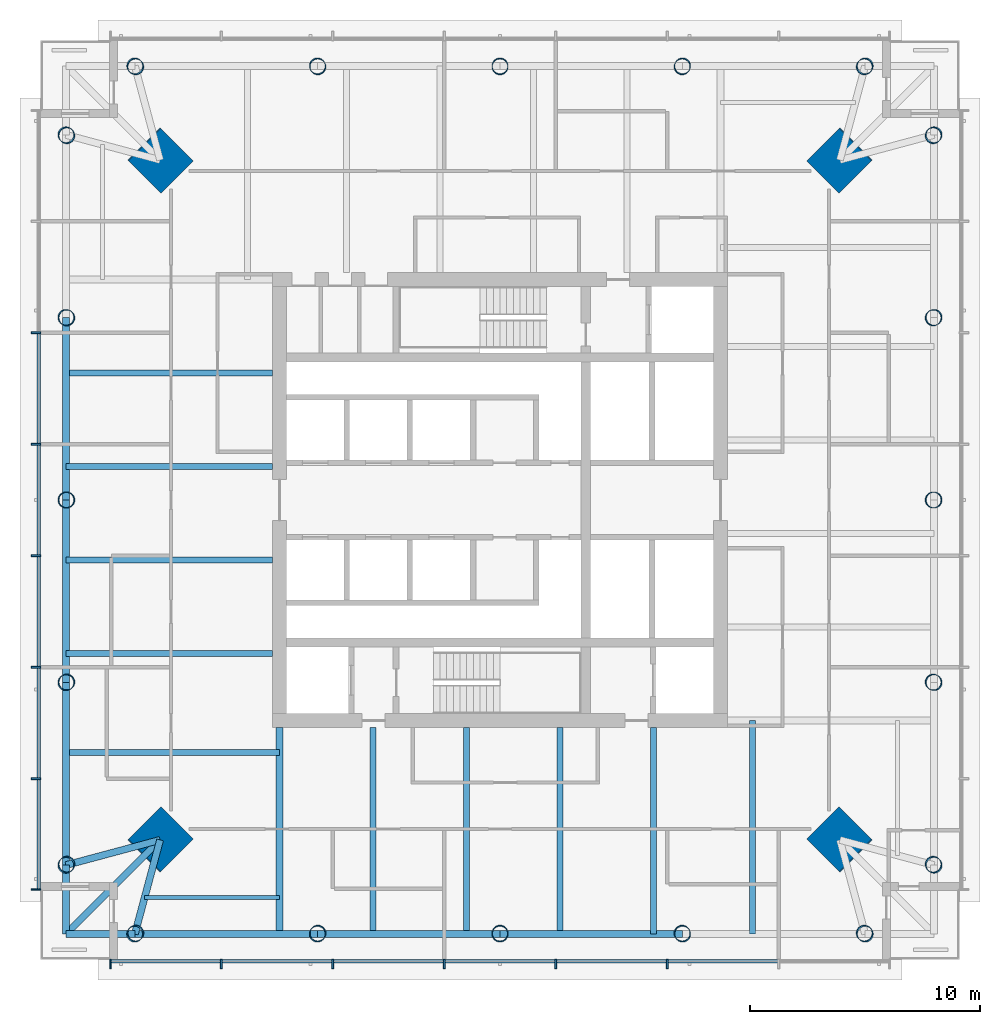
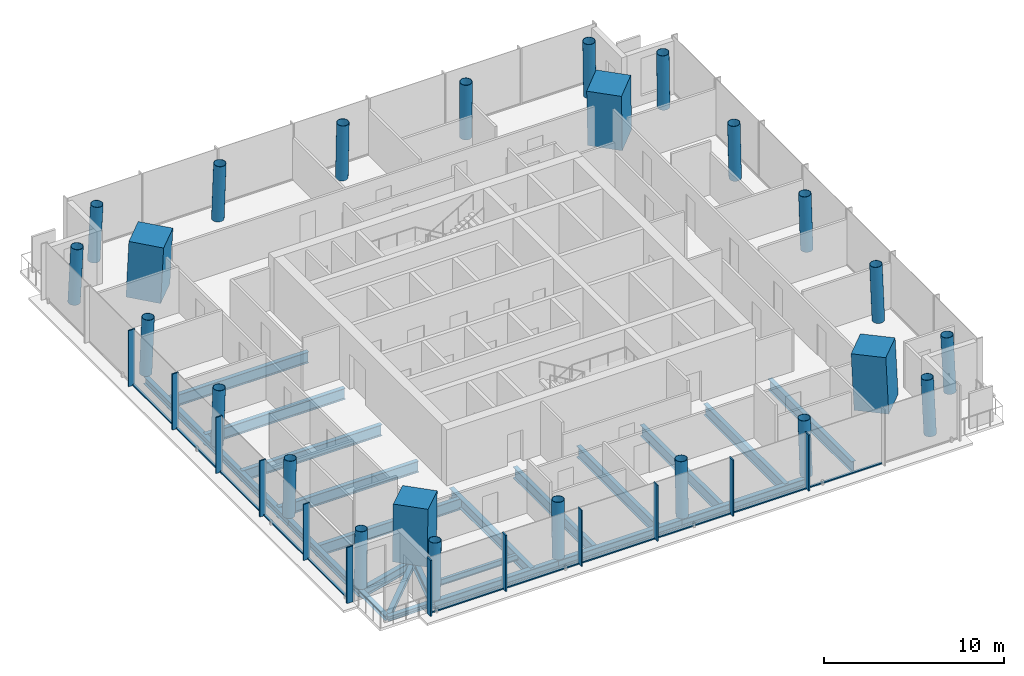
# One storey, part 1 of 10: 24 columns, 23 beams, 23 members, 2 elements without a shape of their own.
"""IFC4 building model written with IfcOpenShell, lengths in metres."""

from ifc_helpers import new_model, si_unit, direction, frame, origin, origin_2d, place, context, subcontext, project, spatial, rectangle, hollow_circle, i_section, extrude, material, material_profile, profile_set, type_object, element, aggregate, save


model = new_model("IFC4")

# Units and contexts
model_context = context("Model", 3, precision=1e-05, world=origin(), true_north=direction((0.0, 1.0)))
body_context = subcontext(model_context, "Body", "Model", "MODEL_VIEW")
ifc_project = project(units=[si_unit("LENGTHUNIT", "METRE"), si_unit("AREAUNIT", "SQUARE_METRE"), si_unit("VOLUMEUNIT", "CUBIC_METRE"), si_unit("PLANEANGLEUNIT", "RADIAN"), si_unit("MASSUNIT", "GRAM", prefix="KILO")], contexts=[model_context])

# Site, building, storey
site_placement = place(None, origin())
site = spatial("IfcSite", under=ifc_project, at=site_placement, CompositionType="ELEMENT")
building_placement = place(site_placement, origin())
building = spatial("IfcBuilding", under=site, at=building_placement, Name="Ostroluk Exchange", CompositionType="ELEMENT")
storey_placement = place(building_placement, frame((0.0, 0.0, 180.60009765625)))
storey = spatial("IfcBuildingStorey", under=building, at=storey_placement, Name="L46", CompositionType="ELEMENT", Elevation=180.60009765625)

# Columns
ifc_material_1 = material(Name="Concrete C50/60", Category="concrete")
ifc_material_profile_1 = material_profile(ifc_material_1, rectangle(XDim=2.0, YDim=2.0, at=origin_2d()), Name="RC 2000x2000")
ifc_profile_set_1 = profile_set([ifc_material_profile_1], Name="Concrete C50/60")
column_type_1 = type_object("IfcColumnType", Name="Mega column RC 2000x2000", PredefinedType="COLUMN", material=ifc_profile_set_1)
for number, where, z_axis, x_axis, name in (
    (1, (59.800048828125, 60.800048828125, 0.0), (-0.031964207655, -0.031964207655, 0.998977766949), (0.707106781187, -0.707106781187, 0.0), "T1 mega column NE"),
    (2, (30.199951171875, 60.800048828125, 0.0), (0.031964207655, -0.031964207655, 0.998977766949), (0.707106781187, 0.707106781187, 0.0), "T1 mega column NW"),
    (3, (30.199951171875, 31.199951171875, 0.0), (0.031964207655, 0.031964207655, 0.998977766949), (-0.707106781187, 0.707106781187, 0.0), "T1 mega column SW"),
    (4, (59.800048828125, 31.199951171875, 0.0), (-0.031964207655, 0.031964207655, 0.998977766949), (-0.707106781187, -0.707106781187, 0.0), "T1 mega column SE"),
):
    element("IfcColumn", number, at=place(storey_placement, frame(where, z_axis=z_axis, x_axis=x_axis)), inside=storey, type_object=column_type_1, Name=name, PredefinedType="COLUMN", context=body_context, shape_type="SweptSolid", body=[
        extrude(rectangle(XDim=2.0, YDim=2.0, at=origin_2d()), origin(), (0.0, 0.0, 1.0), 3.8037109375),
    ])
ifc_material_2 = material(Name="Steel S460", Category="steel")
ifc_material_profile_2 = material_profile(ifc_material_2, hollow_circle(Radius=0.35546875, WallThickness=0.02490234375, at=origin_2d()), Name="CHS 711x25")
ifc_profile_set_2 = profile_set([ifc_material_profile_2], Name="Steel S460")
column_type_2 = type_object("IfcColumnType", Name="Perimeter column CHS 711x25", PredefinedType="COLUMN", material=ifc_profile_set_2)
for number, where, z_axis, x_axis, name in (
    (5, (63.89990234375, 30.10009765625, 0.0), (-0.031900153262, 0.031900153262, 0.998981861919), (-0.707106781187, -0.707106781187, 0.0), "T1 east face column E0"),
    (6, (63.89990234375, 61.89990234375, 0.0), (-0.031900153262, -0.031900153262, 0.998981861919), (0.707106781187, -0.707106781187, 0.0), "T1 east face column E1"),
):
    element("IfcColumn", number, at=place(storey_placement, frame(where, z_axis=z_axis, x_axis=x_axis)), inside=storey, type_object=column_type_2, Name=name, PredefinedType="COLUMN", context=body_context, shape_type="SweptSolid", body=[
        extrude(hollow_circle(Radius=0.35546875, WallThickness=0.02490234375, at=origin_2d()), origin(), (0.0, 0.0, 1.0), 3.8037109375),
    ])
column_1_placement = place(storey_placement, frame((63.89990234375, 38.050048828125, 0.0), z_axis=(-0.031912349901, 0.015924069971, 0.999363810591), x_axis=(-0.446493300058, -0.894786976326, 0.0)))
element("IfcColumn", 7, at=column_1_placement, inside=storey, type_object=column_type_2, Name="T1 east face column I1", PredefinedType="COLUMN", context=body_context, shape_type="SweptSolid", body=[
    extrude(hollow_circle(Radius=0.35546875, WallThickness=0.02490234375, at=origin_2d()), origin(), (0.0, 0.0, 1.0), 3.80224609375),
])
column_2_placement = place(storey_placement, frame((63.89990234375, 46.0, 0.0), z_axis=(-0.031916396774, 0.0, 0.999490542035), x_axis=(0.0, -1.0, 0.0)))
element("IfcColumn", 8, at=column_2_placement, inside=storey, type_object=column_type_2, Name="T1 east face column I2", PredefinedType="COLUMN", context=body_context, shape_type="SweptSolid", body=[
    extrude(hollow_circle(Radius=0.35546875, WallThickness=0.02490234375, at=origin_2d()), origin(), (0.0, 0.0, 1.0), 3.8017578125),
])
column_3_placement = place(storey_placement, frame((63.89990234375, 53.949951171875, 0.0), z_axis=(-0.031912349901, -0.015924069971, 0.999363810591), x_axis=(0.446493300058, -0.894786976326, 0.0)))
element("IfcColumn", 9, at=column_3_placement, inside=storey, type_object=column_type_2, Name="T1 east face column I3", PredefinedType="COLUMN", context=body_context, shape_type="SweptSolid", body=[
    extrude(hollow_circle(Radius=0.35546875, WallThickness=0.02490234375, at=origin_2d()), origin(), (0.0, 0.0, 1.0), 3.80224609375),
])
for number, where, z_axis, x_axis, name in (
    (10, (60.89990234375, 64.89990234375, 0.0), (-0.031900153262, -0.031900153262, 0.998981861919), (0.707106781187, -0.707106781187, 0.0), "T1 north face column E0"),
    (11, (29.10009765625, 64.89990234375, 0.0), (0.031900153262, -0.031900153262, 0.998981861919), (0.707106781187, 0.707106781187, 0.0), "T1 north face column E1"),
):
    element("IfcColumn", number, at=place(storey_placement, frame(where, z_axis=z_axis, x_axis=x_axis)), inside=storey, type_object=column_type_2, Name=name, PredefinedType="COLUMN", context=body_context, shape_type="SweptSolid", body=[
        extrude(hollow_circle(Radius=0.35546875, WallThickness=0.02490234375, at=origin_2d()), origin(), (0.0, 0.0, 1.0), 3.8037109375),
    ])
column_4_placement = place(storey_placement, frame((52.949951171875, 64.89990234375, 0.0), z_axis=(-0.015924069971, -0.031912349901, 0.999363810591), x_axis=(0.894786976326, -0.446493300058, 0.0)))
element("IfcColumn", 12, at=column_4_placement, inside=storey, type_object=column_type_2, Name="T1 north face column I1", PredefinedType="COLUMN", context=body_context, shape_type="SweptSolid", body=[
    extrude(hollow_circle(Radius=0.35546875, WallThickness=0.02490234375, at=origin_2d()), origin(), (0.0, 0.0, 1.0), 3.80224609375),
])
column_5_placement = place(storey_placement, frame((45.0, 64.89990234375, 0.0), z_axis=(0.0, -0.031916396774, 0.999490542035), x_axis=(1.0, 0.0, 0.0)))
element("IfcColumn", 13, at=column_5_placement, inside=storey, type_object=column_type_2, Name="T1 north face column I2", PredefinedType="COLUMN", context=body_context, shape_type="SweptSolid", body=[
    extrude(hollow_circle(Radius=0.35546875, WallThickness=0.02490234375, at=origin_2d()), origin(), (0.0, 0.0, 1.0), 3.8017578125),
])
column_6_placement = place(storey_placement, frame((37.050048828125, 64.89990234375, 0.0), z_axis=(0.015924069971, -0.031912349901, 0.999363810591), x_axis=(0.894786976326, 0.446493300058, 0.0)))
element("IfcColumn", 14, at=column_6_placement, inside=storey, type_object=column_type_2, Name="T1 north face column I3", PredefinedType="COLUMN", context=body_context, shape_type="SweptSolid", body=[
    extrude(hollow_circle(Radius=0.35546875, WallThickness=0.02490234375, at=origin_2d()), origin(), (0.0, 0.0, 1.0), 3.80224609375),
])
for number, where, z_axis, x_axis, name in (
    (15, (26.10009765625, 61.89990234375, 0.0), (0.031900153262, -0.031900153262, 0.998981861919), (0.707106781187, 0.707106781187, 0.0), "T1 west face column E0"),
    (16, (26.10009765625, 30.10009765625, 0.0), (0.031900153262, 0.031900153262, 0.998981861919), (-0.707106781187, 0.707106781187, 0.0), "T1 west face column E1"),
):
    element("IfcColumn", number, at=place(storey_placement, frame(where, z_axis=z_axis, x_axis=x_axis)), inside=storey, type_object=column_type_2, Name=name, PredefinedType="COLUMN", context=body_context, shape_type="SweptSolid", body=[
        extrude(hollow_circle(Radius=0.35546875, WallThickness=0.02490234375, at=origin_2d()), origin(), (0.0, 0.0, 1.0), 3.8037109375),
    ])
column_7_placement = place(storey_placement, frame((26.10009765625, 53.949951171875, 0.0), z_axis=(0.031912349901, -0.015924069971, 0.999363810591), x_axis=(0.446493300058, 0.894786976326, 0.0)))
element("IfcColumn", 17, at=column_7_placement, inside=storey, type_object=column_type_2, Name="T1 west face column I1", PredefinedType="COLUMN", context=body_context, shape_type="SweptSolid", body=[
    extrude(hollow_circle(Radius=0.35546875, WallThickness=0.02490234375, at=origin_2d()), origin(), (0.0, 0.0, 1.0), 3.80224609375),
])
column_8_placement = place(storey_placement, frame((26.10009765625, 46.0, 0.0), z_axis=(0.031916396774, 0.0, 0.999490542035), x_axis=(0.0, 1.0, 0.0)))
element("IfcColumn", 18, at=column_8_placement, inside=storey, type_object=column_type_2, Name="T1 west face column I2", PredefinedType="COLUMN", context=body_context, shape_type="SweptSolid", body=[
    extrude(hollow_circle(Radius=0.35546875, WallThickness=0.02490234375, at=origin_2d()), origin(), (0.0, 0.0, 1.0), 3.8017578125),
])
column_9_placement = place(storey_placement, frame((26.10009765625, 38.050048828125, 0.0), z_axis=(0.031912349901, 0.015924069971, 0.999363810591), x_axis=(-0.446493300058, 0.894786976326, 0.0)))
element("IfcColumn", 19, at=column_9_placement, inside=storey, type_object=column_type_2, Name="T1 west face column I3", PredefinedType="COLUMN", context=body_context, shape_type="SweptSolid", body=[
    extrude(hollow_circle(Radius=0.35546875, WallThickness=0.02490234375, at=origin_2d()), origin(), (0.0, 0.0, 1.0), 3.80224609375),
])
for number, where, z_axis, x_axis, name in (
    (20, (29.10009765625, 27.10009765625, 0.0), (0.031900153262, 0.031900153262, 0.998981861919), (-0.707106781187, 0.707106781187, 0.0), "T1 south face column E0"),
    (21, (60.89990234375, 27.10009765625, 0.0), (-0.031900153262, 0.031900153262, 0.998981861919), (-0.707106781187, -0.707106781187, 0.0), "T1 south face column E1"),
):
    element("IfcColumn", number, at=place(storey_placement, frame(where, z_axis=z_axis, x_axis=x_axis)), inside=storey, type_object=column_type_2, Name=name, PredefinedType="COLUMN", context=body_context, shape_type="SweptSolid", body=[
        extrude(hollow_circle(Radius=0.35546875, WallThickness=0.02490234375, at=origin_2d()), origin(), (0.0, 0.0, 1.0), 3.8037109375),
    ])
column_10_placement = place(storey_placement, frame((37.050048828125, 27.10009765625, 0.0), z_axis=(0.015924069971, 0.031912349901, 0.999363810591), x_axis=(-0.894786976326, 0.446493300058, 0.0)))
element("IfcColumn", 22, at=column_10_placement, inside=storey, type_object=column_type_2, Name="T1 south face column I1", PredefinedType="COLUMN", context=body_context, shape_type="SweptSolid", body=[
    extrude(hollow_circle(Radius=0.35546875, WallThickness=0.02490234375, at=origin_2d()), origin(), (0.0, 0.0, 1.0), 3.80224609375),
])
column_11_placement = place(storey_placement, frame((45.0, 27.10009765625, 0.0), z_axis=(0.0, 0.031916396774, 0.999490542035), x_axis=(-1.0, 0.0, 0.0)))
element("IfcColumn", 23, at=column_11_placement, inside=storey, type_object=column_type_2, Name="T1 south face column I2", PredefinedType="COLUMN", context=body_context, shape_type="SweptSolid", body=[
    extrude(hollow_circle(Radius=0.35546875, WallThickness=0.02490234375, at=origin_2d()), origin(), (0.0, 0.0, 1.0), 3.8017578125),
])
column_12_placement = place(storey_placement, frame((52.949951171875, 27.10009765625, 0.0), z_axis=(-0.015924069971, 0.031912349901, 0.999363810591), x_axis=(-0.894786976326, -0.446493300058, 0.0)))
element("IfcColumn", 24, at=column_12_placement, inside=storey, type_object=column_type_2, Name="T1 south face column I3", PredefinedType="COLUMN", context=body_context, shape_type="SweptSolid", body=[
    extrude(hollow_circle(Radius=0.35546875, WallThickness=0.02490234375, at=origin_2d()), origin(), (0.0, 0.0, 1.0), 3.80224609375),
])

# Beams
ifc_material_3 = material(Name="Steel S355", Category="steel")
ifc_material_profile_3 = material_profile(ifc_material_3, i_section(OverallWidth=0.300048828125, OverallDepth=0.300048828125, WebThickness=0.010986328125, FlangeThickness=0.01904296875, FilletRadius=0.027099609375, at=origin_2d()), Name="HEB 300")
ifc_profile_set_3 = profile_set([ifc_material_profile_3], Name="Steel S355")
beam_type_1 = type_object("IfcBeamType", Name="Balcony beam HEB 300", PredefinedType="BEAM", material=ifc_profile_set_3)
for number, where, z_axis, x_axis, name in (
    (25, (26.10009765625, 30.10009765625, -0.330078125), (0.0, -1.0, 0.0), (1.0, 0.0, 0.0), "T1 west balcony beam a"),
    (26, (29.10009765625, 27.10009765625, -0.330078125), (-1.0, 0.0, 0.0), (0.0, -1.0, 0.0), "T1 west balcony beam b"),
):
    element("IfcBeam", number, at=place(storey_placement, frame(where, z_axis=z_axis, x_axis=x_axis)), inside=storey, type_object=beam_type_1, Name=name, PredefinedType="BEAM", context=body_context, shape_type="SweptSolid", body=[
        extrude(i_section(OverallWidth=0.300048828125, OverallDepth=0.300048828125, WebThickness=0.010986328125, FlangeThickness=0.01904296875, FilletRadius=0.027099609375, at=origin_2d()), origin(), (0.0, 0.0, 1.0), 3.0),
    ])
beam_1_placement = place(storey_placement, frame((30.199951171875, 31.199951171875, -0.330078125), z_axis=(-0.707106781187, -0.707106781187, 0.0), x_axis=(0.707106781187, -0.707106781187, 0.0)))
element("IfcBeam", 27, at=beam_1_placement, inside=storey, type_object=beam_type_1, Name="T1 west balcony beam c", PredefinedType="BEAM", context=body_context, shape_type="SweptSolid", body=[
    extrude(i_section(OverallWidth=0.300048828125, OverallDepth=0.300048828125, WebThickness=0.010986328125, FlangeThickness=0.01904296875, FilletRadius=0.027099609375, at=origin_2d()), origin(), (0.0, 0.0, 1.0), 5.798095703125),
])
ifc_material_4 = material(Name="Steel S355", Category="steel")
ifc_material_profile_4 = material_profile(ifc_material_4, i_section(OverallWidth=0.300048828125, OverallDepth=0.60009765625, WebThickness=0.015380859375, FlangeThickness=0.030029296875, FilletRadius=0.027099609375, at=origin_2d()), Name="HEB 600")
ifc_profile_set_4 = profile_set([ifc_material_profile_4], Name="Steel S355")
beam_type_2 = type_object("IfcBeamType", Name="Corner edge beam HEB 600", PredefinedType="SPANDREL", material=ifc_profile_set_4)
for number, where, z_axis, x_axis, name in (
    (28, (30.199951171875, 31.199951171875, -0.47998046875), (-0.965849156574, -0.259105011038, 0.0), (0.259105011038, -0.965849156574, 0.0), "T1 west corner edge beam a"),
    (29, (30.199951171875, 31.199951171875, -0.47998046875), (-0.259105011038, -0.965849156574, 0.0), (0.965849156574, -0.259105011038, 0.0), "T1 west corner edge beam b"),
):
    element("IfcBeam", number, at=place(storey_placement, frame(where, z_axis=z_axis, x_axis=x_axis)), inside=storey, type_object=beam_type_2, Name=name, PredefinedType="SPANDREL", context=body_context, shape_type="SweptSolid", body=[
        extrude(i_section(OverallWidth=0.300048828125, OverallDepth=0.60009765625, WebThickness=0.015380859375, FlangeThickness=0.030029296875, FilletRadius=0.027099609375, at=origin_2d()), origin(), (0.0, 0.0, 1.0), 4.244873046875),
    ])
ifc_material_5 = material(Name="Steel S355", Category="steel")
ifc_material_profile_5 = material_profile(ifc_material_5, i_section(OverallWidth=0.179931640625, OverallDepth=0.39990234375, WebThickness=0.008544921875, FlangeThickness=0.013427734375, FilletRadius=0.02099609375, at=origin_2d()), Name="IPE 400")
ifc_profile_set_5 = profile_set([ifc_material_profile_5], Name="Steel S355")
beam_type_3 = type_object("IfcBeamType", Name="Floor beam IPE 400", PredefinedType="BEAM", material=ifc_profile_set_5)
beam_2_placement = place(storey_placement, frame((35.39990234375, 28.699951171875, -0.380126953125), z_axis=(-1.0, 0.0, 0.0), x_axis=(0.0, -1.0, 0.0)))
element("IfcBeam", 30, at=beam_2_placement, inside=storey, type_object=beam_type_3, Name="T1 west floor beam 6", PredefinedType="BEAM", context=body_context, shape_type="SweptSolid", body=[
    extrude(i_section(OverallWidth=0.179931640625, OverallDepth=0.39990234375, WebThickness=0.008544921875, FlangeThickness=0.013427734375, FilletRadius=0.02099609375, at=origin_2d()), origin(), (0.0, 0.0, 1.0), 5.87060546875),
])
ifc_material_6 = material(Name="Steel S355", Category="steel")
ifc_material_profile_6 = material_profile(ifc_material_6, i_section(OverallWidth=0.264892578125, OverallDepth=0.7529296875, WebThickness=0.01318359375, FlangeThickness=0.01708984375, FilletRadius=0.01708984375, at=origin_2d()), Name="IPE 750x147")
ifc_profile_set_6 = profile_set([ifc_material_profile_6], Name="Steel S355")
beam_type_4 = type_object("IfcBeamType", Name="Floor beam IPE 750x147", PredefinedType="BEAM", material=ifc_profile_set_6)
for number, where, z_axis, x_axis, name in (
    (31, (35.10009765625, 51.528564453125, -0.556640625), (-1.0, 0.0, 0.0), (0.0, -1.0, 0.0), "T1 west floor beam 1"),
    (32, (35.10009765625, 47.45703125, -0.556640625), (-1.0, 0.0, 0.0), (0.0, -1.0, 0.0), "T1 west floor beam 2"),
    (33, (35.10009765625, 43.3857421875, -0.556640625), (-1.0, 0.0, 0.0), (0.0, -1.0, 0.0), "T1 west floor beam 3"),
    (34, (35.10009765625, 39.314208984375, -0.556640625), (-1.0, 0.0, 0.0), (0.0, -1.0, 0.0), "T1 west floor beam 4"),
):
    element("IfcBeam", number, at=place(storey_placement, frame(where, z_axis=z_axis, x_axis=x_axis)), inside=storey, type_object=beam_type_4, Name=name, PredefinedType="BEAM", context=body_context, shape_type="SweptSolid", body=[
        extrude(i_section(OverallWidth=0.264892578125, OverallDepth=0.7529296875, WebThickness=0.01318359375, FlangeThickness=0.01708984375, FilletRadius=0.01708984375, at=origin_2d()), origin(), (0.0, 0.0, 1.0), 9.0),
    ])
beam_3_placement = place(storey_placement, frame((35.39990234375, 35.0, -0.556640625), z_axis=(-1.0, 0.0, 0.0), x_axis=(0.0, -1.0, 0.0)))
element("IfcBeam", 35, at=beam_3_placement, inside=storey, type_object=beam_type_4, Name="T1 west floor beam 5", PredefinedType="BEAM", context=body_context, shape_type="SweptSolid", body=[
    extrude(i_section(OverallWidth=0.264892578125, OverallDepth=0.7529296875, WebThickness=0.01318359375, FlangeThickness=0.01708984375, FilletRadius=0.01708984375, at=origin_2d()), origin(), (0.0, 0.0, 1.0), 9.2998046875),
])
for number, where, z_axis, x_axis, name in (
    (36, (39.471435546875, 36.10009765625, -0.556640625), (0.0, -1.0, 0.0), (1.0, 0.0, 0.0), "T1 south floor beam 1"),
    (37, (43.54296875, 36.10009765625, -0.556640625), (0.0, -1.0, 0.0), (1.0, 0.0, 0.0), "T1 south floor beam 2"),
    (38, (47.6142578125, 36.10009765625, -0.556640625), (0.0, -1.0, 0.0), (1.0, 0.0, 0.0), "T1 south floor beam 3"),
    (39, (51.685791015625, 36.10009765625, -0.556640625), (0.0, -1.0, 0.0), (1.0, 0.0, 0.0), "T1 south floor beam 4"),
):
    element("IfcBeam", number, at=place(storey_placement, frame(where, z_axis=z_axis, x_axis=x_axis)), inside=storey, type_object=beam_type_4, Name=name, PredefinedType="BEAM", context=body_context, shape_type="SweptSolid", body=[
        extrude(i_section(OverallWidth=0.264892578125, OverallDepth=0.7529296875, WebThickness=0.01318359375, FlangeThickness=0.01708984375, FilletRadius=0.01708984375, at=origin_2d()), origin(), (0.0, 0.0, 1.0), 9.0),
    ])
beam_4_placement = place(storey_placement, frame((56.0, 36.39990234375, -0.556640625), z_axis=(0.0, -1.0, 0.0), x_axis=(1.0, 0.0, 0.0)))
element("IfcBeam", 40, at=beam_4_placement, inside=storey, type_object=beam_type_4, Name="T1 south floor beam 5", PredefinedType="BEAM", context=body_context, shape_type="SweptSolid", body=[
    extrude(i_section(OverallWidth=0.264892578125, OverallDepth=0.7529296875, WebThickness=0.01318359375, FlangeThickness=0.01708984375, FilletRadius=0.01708984375, at=origin_2d()), origin(), (0.0, 0.0, 1.0), 9.2998046875),
])
ifc_material_7 = material(Name="Steel S355", Category="steel")
ifc_material_profile_7 = material_profile(ifc_material_7, i_section(OverallWidth=0.300048828125, OverallDepth=0.699951171875, WebThickness=0.01708984375, FlangeThickness=0.031982421875, FilletRadius=0.027099609375, at=origin_2d()), Name="HEB 700")
ifc_profile_set_7 = profile_set([ifc_material_profile_7], Name="Steel S355")
beam_type_5 = type_object("IfcBeamType", Name="Girder HEB 700", PredefinedType="BEAM", material=ifc_profile_set_7)
beam_5_placement = place(storey_placement, frame((35.39990234375, 36.10009765625, -0.530029296875), z_axis=(0.0, -1.0, 0.0), x_axis=(1.0, 0.0, 0.0)))
element("IfcBeam", 41, at=beam_5_placement, inside=storey, type_object=beam_type_5, Name="T1 west girder", PredefinedType="BEAM", context=body_context, shape_type="SweptSolid", body=[
    extrude(i_section(OverallWidth=0.300048828125, OverallDepth=0.699951171875, WebThickness=0.01708984375, FlangeThickness=0.031982421875, FilletRadius=0.027099609375, at=origin_2d()), origin(), (0.0, 0.0, 1.0), 9.0),
])
ifc_material_8 = material(Name="Steel S355", Category="steel")
ifc_material_profile_8 = material_profile(ifc_material_8, i_section(OverallWidth=0.300048828125, OverallDepth=0.5, WebThickness=0.014404296875, FlangeThickness=0.028076171875, FilletRadius=0.027099609375, at=origin_2d()), Name="HEB 500")
ifc_profile_set_8 = profile_set([ifc_material_profile_8], Name="Steel S355")
beam_type_6 = type_object("IfcBeamType", Name="Moment-connected edge beam HEB 500", PredefinedType="SPANDREL", material=ifc_profile_set_8)
for number, where, z_axis, x_axis, name in (
    (42, (26.10009765625, 53.949951171875, -0.43017578125), (0.0, -1.0, 0.0), (1.0, 0.0, 0.0), "T1 west edge beam 2"),
    (43, (26.10009765625, 46.0, -0.43017578125), (0.0, -1.0, 0.0), (1.0, 0.0, 0.0), "T1 west edge beam 3"),
    (44, (26.10009765625, 38.050048828125, -0.43017578125), (0.0, -1.0, 0.0), (1.0, 0.0, 0.0), "T1 west edge beam 4"),
    (45, (29.10009765625, 27.10009765625, -0.43017578125), (1.0, 0.0, 0.0), (0.0, 1.0, 0.0), "T1 south edge beam 1"),
    (46, (37.050048828125, 27.10009765625, -0.43017578125), (1.0, 0.0, 0.0), (0.0, 1.0, 0.0), "T1 south edge beam 2"),
    (47, (45.0, 27.10009765625, -0.43017578125), (1.0, 0.0, 0.0), (0.0, 1.0, 0.0), "T1 south edge beam 3"),
):
    element("IfcBeam", number, at=place(storey_placement, frame(where, z_axis=z_axis, x_axis=x_axis)), inside=storey, type_object=beam_type_6, Name=name, PredefinedType="SPANDREL", context=body_context, shape_type="SweptSolid", body=[
        extrude(i_section(OverallWidth=0.300048828125, OverallDepth=0.5, WebThickness=0.014404296875, FlangeThickness=0.028076171875, FilletRadius=0.027099609375, at=origin_2d()), origin(), (0.0, 0.0, 1.0), 7.949951171875),
    ])

# Curtain wall, members
ifc_material_9 = material(Name="Laminated clear glass", Category="glass")
curtain_wall_type = type_object("IfcCurtainWallType", Name="Office tower facade", PredefinedType="USERDEFINED", material=ifc_material_9)
curtain_wall_1_placement = place(storey_placement, origin())
curtain_wall_1 = element("IfcCurtainWall", 48, at=curtain_wall_1_placement, inside=storey, type_object=curtain_wall_type, Name="Office tower south facade L46", ObjectType="UNITISED CURTAIN WALL", PredefinedType="USERDEFINED")
ifc_material_10 = material(Name="Aluminium mullion", Category="aluminium")
ifc_material_profile_9 = material_profile(ifc_material_10, rectangle(XDim=0.14990234375, YDim=0.080078125, at=origin_2d()), Name="Sill transom 80 x 150")
ifc_profile_set_9 = profile_set([ifc_material_profile_9], Name="Aluminium mullion")
member_type_1 = type_object("IfcMemberType", Name="Sill transom 80 x 150", PredefinedType="USERDEFINED", material=ifc_profile_set_9)
member_1_placement = place(storey_placement, frame((28.080078125, 25.925048828125, 0.039794921875), z_axis=(1.0, 0.0, 0.0), x_axis=(0.0, 1.0, 0.0)))
member_1 = element("IfcMember", 49, at=member_1_placement, type_object=member_type_1, Name="CW-O1 transom 1.1", ObjectType="TRANSOM", PredefinedType="USERDEFINED", context=body_context, shape_type="SweptSolid", body=[
    extrude(rectangle(XDim=0.14990234375, YDim=0.080078125, at=origin_2d()), origin(), (0.0, 0.0, 1.0), 4.737060546875),
])
member_2_placement = place(storey_placement, frame((32.897216796875, 25.925048828125, 0.039794921875), z_axis=(1.0, 0.0, 0.0), x_axis=(0.0, 1.0, 0.0)))
member_2 = element("IfcMember", 50, at=member_2_placement, type_object=member_type_1, Name="CW-O1 transom 2.1", ObjectType="TRANSOM", PredefinedType="USERDEFINED", context=body_context, shape_type="SweptSolid", body=[
    extrude(rectangle(XDim=0.14990234375, YDim=0.080078125, at=origin_2d()), origin(), (0.0, 0.0, 1.0), 4.777099609375),
])
member_3_placement = place(storey_placement, frame((37.75439453125, 25.925048828125, 0.039794921875), z_axis=(1.0, 0.0, 0.0), x_axis=(0.0, 1.0, 0.0)))
member_3 = element("IfcMember", 51, at=member_3_placement, type_object=member_type_1, Name="CW-O1 transom 3.1", ObjectType="TRANSOM", PredefinedType="USERDEFINED", context=body_context, shape_type="SweptSolid", body=[
    extrude(rectangle(XDim=0.14990234375, YDim=0.080078125, at=origin_2d()), origin(), (0.0, 0.0, 1.0), 4.777099609375),
])
member_4_placement = place(storey_placement, frame((42.611328125, 25.925048828125, 0.039794921875), z_axis=(1.0, 0.0, 0.0), x_axis=(0.0, 1.0, 0.0)))
member_4 = element("IfcMember", 52, at=member_4_placement, type_object=member_type_1, Name="CW-O1 transom 4.1", ObjectType="TRANSOM", PredefinedType="USERDEFINED", context=body_context, shape_type="SweptSolid", body=[
    extrude(rectangle(XDim=0.14990234375, YDim=0.080078125, at=origin_2d()), origin(), (0.0, 0.0, 1.0), 4.77734375),
])
member_5_placement = place(storey_placement, frame((47.468505859375, 25.925048828125, 0.039794921875), z_axis=(1.0, 0.0, 0.0), x_axis=(0.0, 1.0, 0.0)))
member_5 = element("IfcMember", 53, at=member_5_placement, type_object=member_type_1, Name="CW-O1 transom 5.1", ObjectType="TRANSOM", PredefinedType="USERDEFINED", context=body_context, shape_type="SweptSolid", body=[
    extrude(rectangle(XDim=0.14990234375, YDim=0.080078125, at=origin_2d()), origin(), (0.0, 0.0, 1.0), 4.777099609375),
])
member_6_placement = place(storey_placement, frame((52.32568359375, 25.925048828125, 0.039794921875), z_axis=(1.0, 0.0, 0.0), x_axis=(0.0, 1.0, 0.0)))
member_6 = element("IfcMember", 54, at=member_6_placement, type_object=member_type_1, Name="CW-O1 transom 6.1", ObjectType="TRANSOM", PredefinedType="USERDEFINED", context=body_context, shape_type="SweptSolid", body=[
    extrude(rectangle(XDim=0.14990234375, YDim=0.080078125, at=origin_2d()), origin(), (0.0, 0.0, 1.0), 4.777099609375),
])

curtain_wall_2_placement = place(storey_placement, origin())
curtain_wall_2 = element("IfcCurtainWall", 55, at=curtain_wall_2_placement, inside=storey, type_object=curtain_wall_type, Name="Office tower west facade L46", ObjectType="UNITISED CURTAIN WALL", PredefinedType="USERDEFINED")
member_7_placement = place(storey_placement, frame((24.925048828125, 53.24560546875, 0.039794921875), z_axis=(0.0, -1.0, 0.0), x_axis=(1.0, 0.0, 0.0)))
member_7 = element("IfcMember", 56, at=member_7_placement, type_object=member_type_1, Name="CW-O1 transom 3.1", ObjectType="TRANSOM", PredefinedType="USERDEFINED", context=body_context, shape_type="SweptSolid", body=[
    extrude(rectangle(XDim=0.14990234375, YDim=0.080078125, at=origin_2d()), origin(), (0.0, 0.0, 1.0), 4.777099609375),
])
member_8_placement = place(storey_placement, frame((24.925048828125, 48.388671875, 0.039794921875), z_axis=(0.0, -1.0, 0.0), x_axis=(1.0, 0.0, 0.0)))
member_8 = element("IfcMember", 57, at=member_8_placement, type_object=member_type_1, Name="CW-O1 transom 4.1", ObjectType="TRANSOM", PredefinedType="USERDEFINED", context=body_context, shape_type="SweptSolid", body=[
    extrude(rectangle(XDim=0.14990234375, YDim=0.080078125, at=origin_2d()), origin(), (0.0, 0.0, 1.0), 4.77734375),
])
member_9_placement = place(storey_placement, frame((24.925048828125, 43.531494140625, 0.039794921875), z_axis=(0.0, -1.0, 0.0), x_axis=(1.0, 0.0, 0.0)))
member_9 = element("IfcMember", 58, at=member_9_placement, type_object=member_type_1, Name="CW-O1 transom 5.1", ObjectType="TRANSOM", PredefinedType="USERDEFINED", context=body_context, shape_type="SweptSolid", body=[
    extrude(rectangle(XDim=0.14990234375, YDim=0.080078125, at=origin_2d()), origin(), (0.0, 0.0, 1.0), 4.777099609375),
])
member_10_placement = place(storey_placement, frame((24.925048828125, 38.67431640625, 0.039794921875), z_axis=(0.0, -1.0, 0.0), x_axis=(1.0, 0.0, 0.0)))
member_10 = element("IfcMember", 59, at=member_10_placement, type_object=member_type_1, Name="CW-O1 transom 6.1", ObjectType="TRANSOM", PredefinedType="USERDEFINED", context=body_context, shape_type="SweptSolid", body=[
    extrude(rectangle(XDim=0.14990234375, YDim=0.080078125, at=origin_2d()), origin(), (0.0, 0.0, 1.0), 4.777099609375),
])
member_11_placement = place(storey_placement, frame((24.925048828125, 33.817138671875, 0.039794921875), z_axis=(0.0, -1.0, 0.0), x_axis=(1.0, 0.0, 0.0)))
member_11 = element("IfcMember", 60, at=member_11_placement, type_object=member_type_1, Name="CW-O1 transom 7.1", ObjectType="TRANSOM", PredefinedType="USERDEFINED", context=body_context, shape_type="SweptSolid", body=[
    extrude(rectangle(XDim=0.14990234375, YDim=0.080078125, at=origin_2d()), origin(), (0.0, 0.0, 1.0), 4.737060546875),
])

# Member
ifc_material_11 = material(Name="Aluminium mullion with limestone facing", Category="masonry")
ifc_material_profile_10 = material_profile(ifc_material_11, rectangle(XDim=0.39990234375, YDim=0.080078125, at=origin_2d()), Name="Tracery mullion 80 x 400")
ifc_profile_set_10 = profile_set([ifc_material_profile_10], Name="Aluminium mullion with limestone facing")
member_type_2 = type_object("IfcMemberType", Name="Tracery mullion 80 x 400", PredefinedType="MULLION", material=ifc_profile_set_10)
member_12_placement = place(storey_placement, frame((28.0400390625, 25.800048828125, 0.0), z_axis=(0.0, 0.0, 1.0), x_axis=(0.0, 1.0, 0.0)))
member_12 = element("IfcMember", 61, at=member_12_placement, type_object=member_type_2, Name="CW-O1 mullion 1", PredefinedType="MULLION", context=body_context, shape_type="SweptSolid", body=[
    extrude(rectangle(XDim=0.39990234375, YDim=0.080078125, at=origin_2d()), origin(), (0.0, 0.0, 1.0), 3.7998046875),
])

member_13_placement = place(storey_placement, frame((32.857177734375, 25.800048828125, 0.0), z_axis=(0.0, 0.0, 1.0), x_axis=(0.0, 1.0, 0.0)))
member_13 = element("IfcMember", 62, at=member_13_placement, type_object=member_type_2, Name="CW-O1 mullion 2", PredefinedType="MULLION", context=body_context, shape_type="SweptSolid", body=[
    extrude(rectangle(XDim=0.39990234375, YDim=0.080078125, at=origin_2d()), origin(), (0.0, 0.0, 1.0), 3.7998046875),
])

member_14_placement = place(storey_placement, frame((37.71435546875, 25.800048828125, 0.0), z_axis=(0.0, 0.0, 1.0), x_axis=(0.0, 1.0, 0.0)))
member_14 = element("IfcMember", 63, at=member_14_placement, type_object=member_type_2, Name="CW-O1 mullion 3", PredefinedType="MULLION", context=body_context, shape_type="SweptSolid", body=[
    extrude(rectangle(XDim=0.39990234375, YDim=0.080078125, at=origin_2d()), origin(), (0.0, 0.0, 1.0), 3.7998046875),
])

member_15_placement = place(storey_placement, frame((42.571533203125, 25.800048828125, 0.0), z_axis=(0.0, 0.0, 1.0), x_axis=(0.0, 1.0, 0.0)))
member_15 = element("IfcMember", 64, at=member_15_placement, type_object=member_type_2, Name="CW-O1 mullion 4", PredefinedType="MULLION", context=body_context, shape_type="SweptSolid", body=[
    extrude(rectangle(XDim=0.39990234375, YDim=0.080078125, at=origin_2d()), origin(), (0.0, 0.0, 1.0), 3.7998046875),
])

member_16_placement = place(storey_placement, frame((47.428466796875, 25.800048828125, 0.0), z_axis=(0.0, 0.0, 1.0), x_axis=(0.0, 1.0, 0.0)))
member_16 = element("IfcMember", 65, at=member_16_placement, type_object=member_type_2, Name="CW-O1 mullion 5", PredefinedType="MULLION", context=body_context, shape_type="SweptSolid", body=[
    extrude(rectangle(XDim=0.39990234375, YDim=0.080078125, at=origin_2d()), origin(), (0.0, 0.0, 1.0), 3.7998046875),
])

member_17_placement = place(storey_placement, frame((52.28564453125, 25.800048828125, 0.0), z_axis=(0.0, 0.0, 1.0), x_axis=(0.0, 1.0, 0.0)))
member_17 = element("IfcMember", 66, at=member_17_placement, type_object=member_type_2, Name="CW-O1 mullion 6", PredefinedType="MULLION", context=body_context, shape_type="SweptSolid", body=[
    extrude(rectangle(XDim=0.39990234375, YDim=0.080078125, at=origin_2d()), origin(), (0.0, 0.0, 1.0), 3.7998046875),
])

aggregate(curtain_wall_1, [member_12, member_13, member_14, member_15, member_16, member_17, member_1, member_2, member_3, member_4, member_5, member_6])

member_18_placement = place(storey_placement, frame((24.800048828125, 53.28564453125, 0.0), z_axis=(0.0, 0.0, 1.0), x_axis=(1.0, 0.0, 0.0)))
member_18 = element("IfcMember", 67, at=member_18_placement, type_object=member_type_2, Name="CW-O1 mullion 3", PredefinedType="MULLION", context=body_context, shape_type="SweptSolid", body=[
    extrude(rectangle(XDim=0.39990234375, YDim=0.080078125, at=origin_2d()), origin(), (0.0, 0.0, 1.0), 3.7998046875),
])

member_19_placement = place(storey_placement, frame((24.800048828125, 48.428466796875, 0.0), z_axis=(0.0, 0.0, 1.0), x_axis=(1.0, 0.0, 0.0)))
member_19 = element("IfcMember", 68, at=member_19_placement, type_object=member_type_2, Name="CW-O1 mullion 4", PredefinedType="MULLION", context=body_context, shape_type="SweptSolid", body=[
    extrude(rectangle(XDim=0.39990234375, YDim=0.080078125, at=origin_2d()), origin(), (0.0, 0.0, 1.0), 3.7998046875),
])

member_20_placement = place(storey_placement, frame((24.800048828125, 43.571533203125, 0.0), z_axis=(0.0, 0.0, 1.0), x_axis=(1.0, 0.0, 0.0)))
member_20 = element("IfcMember", 69, at=member_20_placement, type_object=member_type_2, Name="CW-O1 mullion 5", PredefinedType="MULLION", context=body_context, shape_type="SweptSolid", body=[
    extrude(rectangle(XDim=0.39990234375, YDim=0.080078125, at=origin_2d()), origin(), (0.0, 0.0, 1.0), 3.7998046875),
])

member_21_placement = place(storey_placement, frame((24.800048828125, 38.71435546875, 0.0), z_axis=(0.0, 0.0, 1.0), x_axis=(1.0, 0.0, 0.0)))
member_21 = element("IfcMember", 70, at=member_21_placement, type_object=member_type_2, Name="CW-O1 mullion 6", PredefinedType="MULLION", context=body_context, shape_type="SweptSolid", body=[
    extrude(rectangle(XDim=0.39990234375, YDim=0.080078125, at=origin_2d()), origin(), (0.0, 0.0, 1.0), 3.7998046875),
])

member_22_placement = place(storey_placement, frame((24.800048828125, 33.857177734375, 0.0), z_axis=(0.0, 0.0, 1.0), x_axis=(1.0, 0.0, 0.0)))
member_22 = element("IfcMember", 71, at=member_22_placement, type_object=member_type_2, Name="CW-O1 mullion 7", PredefinedType="MULLION", context=body_context, shape_type="SweptSolid", body=[
    extrude(rectangle(XDim=0.39990234375, YDim=0.080078125, at=origin_2d()), origin(), (0.0, 0.0, 1.0), 3.7998046875),
])

member_23_placement = place(storey_placement, frame((24.800048828125, 29.0400390625, 0.0), z_axis=(0.0, 0.0, 1.0), x_axis=(1.0, 0.0, 0.0)))
member_23 = element("IfcMember", 72, at=member_23_placement, type_object=member_type_2, Name="CW-O1 mullion 8", PredefinedType="MULLION", context=body_context, shape_type="SweptSolid", body=[
    extrude(rectangle(XDim=0.39990234375, YDim=0.080078125, at=origin_2d()), origin(), (0.0, 0.0, 1.0), 3.7998046875),
])

aggregate(curtain_wall_2, [member_18, member_19, member_20, member_21, member_22, member_23, member_7, member_8, member_9, member_10, member_11])

save(model, "model.ifc")
